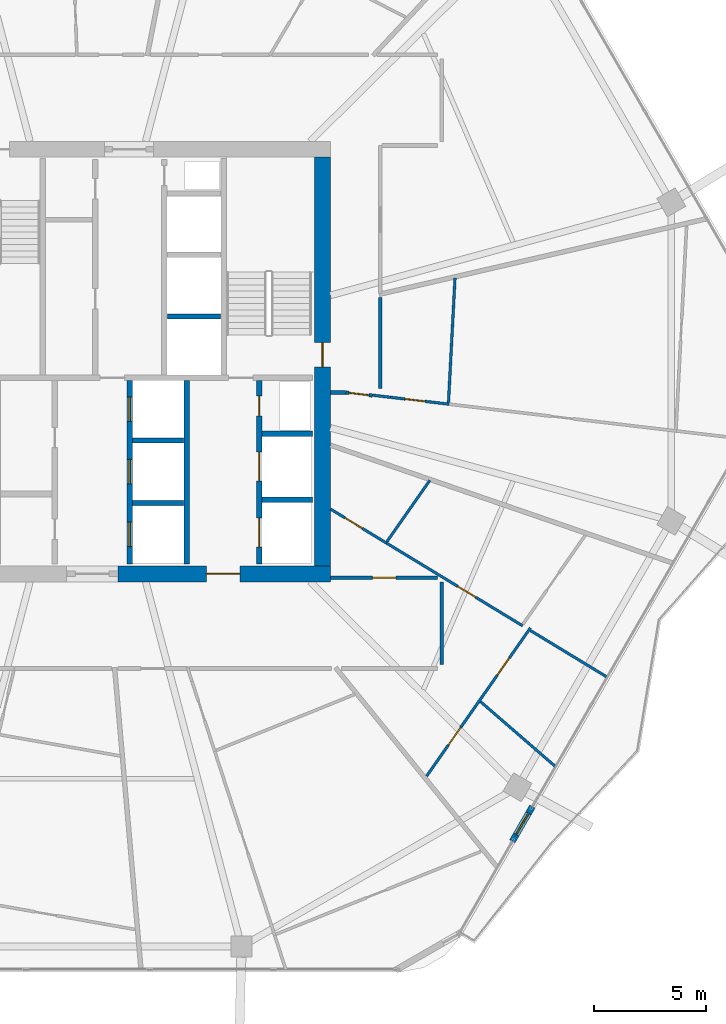
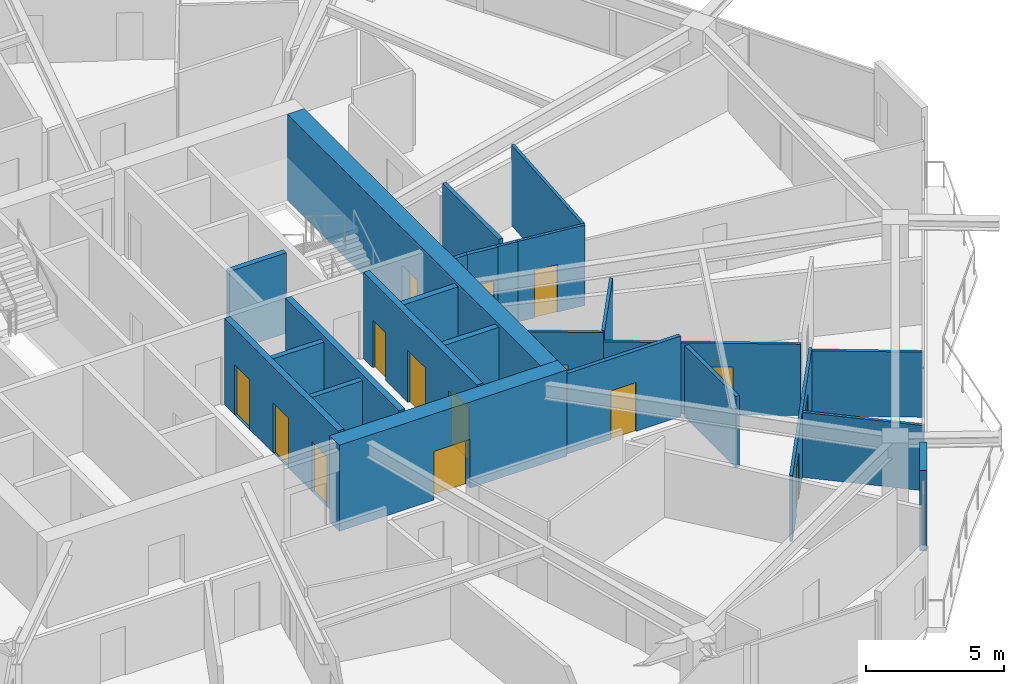
# One storey, part 19 of 26: 25 walls, 16 doors, 16 openings.
"""IFC4 building model written with IfcOpenShell, lengths in metres."""

from ifc_helpers import new_model, si_unit, direction, frame, frame_2d, origin, place, context, subcontext, project, spatial, rectangle, extrude, material, layer, layer_set, type_object, element, fill, save


model = new_model("IFC4")

# Units and contexts
model_context = context("Model", 3, precision=1e-05, world=origin(), true_north=direction((0.0, 1.0)))
body_context = subcontext(model_context, "Body", "Model", "MODEL_VIEW")
ifc_project = project(units=[si_unit("LENGTHUNIT", "METRE"), si_unit("AREAUNIT", "SQUARE_METRE"), si_unit("VOLUMEUNIT", "CUBIC_METRE"), si_unit("PLANEANGLEUNIT", "RADIAN"), si_unit("MASSUNIT", "GRAM", prefix="KILO")], contexts=[model_context])

# Site, building, storey
site_placement = place(None, origin())
site = spatial("IfcSite", under=ifc_project, at=site_placement, CompositionType="ELEMENT")
building_placement = place(site_placement, origin())
building = spatial("IfcBuilding", under=site, at=building_placement, Name="Zuhravey Tower", CompositionType="ELEMENT")
storey_placement = place(building_placement, frame((0.0, 0.0, 211.199951171875)))
storey = spatial("IfcBuildingStorey", under=building, at=storey_placement, Name="L53", CompositionType="ELEMENT", Elevation=211.199951171875)

# Wall, opening, door
ifc_material_1 = material(Name="Concrete C60/75", Category="concrete")
ifc_layer_1 = layer(ifc_material_1, 0.699951171875)
ifc_layer_set_1 = layer_set([ifc_layer_1], Name="Concrete C60/75")
wall_type_1 = type_object("IfcWallType", Name="Core Shear Wall 700", PredefinedType="SHEAR", material=ifc_layer_set_1)
wall_1_placement = place(storey_placement, frame((37.35009765625, 22.5, 0.0), z_axis=(0.0, 0.0, 1.0), x_axis=(1.0, 0.0, 0.0)))
wall_1 = element("IfcWall", 1, at=wall_1_placement, inside=storey, type_object=wall_type_1, Name="L53 South-East Core Shear Wall CW70", PredefinedType="SHEAR", context=body_context, shape_type="SweptSolid", body=[
    extrude(rectangle(XDim=9.5, YDim=0.699951171875, at=frame_2d((4.75, 0.0))), origin(), (0.0, 0.0, 1.0), 3.800048828125),
])
opening_1_placement = place(wall_1_placement, frame((3.949951171875, 0.0, 0.0)))
opening_1 = element("IfcOpeningElement", 2, at=opening_1_placement, cuts=wall_1, Name="Opening FFD1", PredefinedType="OPENING", context=body_context, shape_type="SweptSolid", body=[
    extrude(rectangle(XDim=1.5, YDim=2.14990234375, at=frame_2d((0.75, 1.074951171875))), frame((0.0, 0.362060546875, 0.0), z_axis=(0.0, -1.0, 0.0), x_axis=(1.0, 0.0, 0.0)), (0.0, 0.0, 1.0), 0.723876953125),
])
ifc_material_2 = material(Name="Galvanised fire-rated steel leaf", Category="steel")
door_type_1 = type_object("IfcDoorType", Name="Firefighting Lobby Double Door 1500x2150", OperationType="DOUBLE_DOOR_SINGLE_SWING", PredefinedType="DOOR", material=ifc_material_2)
door_1_placement = place(opening_1_placement, origin())
door_1 = element("IfcDoor", 3, at=door_1_placement, inside=storey, type_object=door_type_1, Name="L53 Firefighting Lobby East Door", OperationType="DOUBLE_DOOR_SINGLE_SWING", OverallHeight=2.14990234375, OverallWidth=1.5, PredefinedType="DOOR", context=body_context, shape_type="SweptSolid", body=[
    extrude(rectangle(XDim=1.5, YDim=2.14990234375, at=frame_2d((0.75, 1.074951171875))), frame((0.0, 0.02490234375, 0.0), z_axis=(0.0, -1.0, 0.0), x_axis=(1.0, 0.0, 0.0)), (0.0, 0.0, 1.0), 0.050048828125),
])
fill(opening_1, door_1)

wall_2_placement = place(storey_placement, frame((46.5, 22.85009765625, 0.0), z_axis=(0.0, 0.0, 1.0), x_axis=(0.0, 1.0, 0.0)))
wall_2 = element("IfcWall", 4, at=wall_2_placement, inside=storey, type_object=wall_type_1, Name="L53 East Core Shear Wall CW70", PredefinedType="SHEAR", context=body_context, shape_type="SweptSolid", body=[
    extrude(rectangle(XDim=18.2998046875, YDim=0.699951171875, at=frame_2d((9.14990234375, 0.0))), origin(), (0.0, 0.0, 1.0), 3.800048828125),
])
opening_2_placement = place(wall_2_placement, frame((8.89990234375, 0.0, 0.0)))
opening_2 = element("IfcOpeningElement", 5, at=opening_2_placement, cuts=wall_2, Name="Opening STD1", PredefinedType="OPENING", context=body_context, shape_type="SweptSolid", body=[
    extrude(rectangle(XDim=1.10009765625, YDim=2.14990234375, at=frame_2d((0.550048828125, 1.074951171875))), frame((0.0, 0.362060546875, 0.0), z_axis=(0.0, -1.0, 0.0), x_axis=(1.0, 0.0, 0.0)), (0.0, 0.0, 1.0), 0.723876953125),
])
door_type_2 = type_object("IfcDoorType", Name="Protected Stair Fire Door 1100x2150", OperationType="NOTDEFINED", PredefinedType="USERDEFINED", material=ifc_material_2)
door_2_placement = place(opening_2_placement, origin())
door_2 = element("IfcDoor", 6, at=door_2_placement, inside=storey, type_object=door_type_2, Name="L53 Stair ST2 Door", ObjectType="EXITDOOR", OperationType="SINGLE_SWING_RIGHT", OverallHeight=2.14990234375, OverallWidth=1.10009765625, PredefinedType="USERDEFINED", context=body_context, shape_type="SweptSolid", body=[
    extrude(rectangle(XDim=1.10009765625, YDim=2.14990234375, at=frame_2d((0.550048828125, 1.074951171875))), frame((0.0, 0.02490234375, 0.0), z_axis=(0.0, -1.0, 0.0), x_axis=(1.0, 0.0, 0.0)), (0.0, 0.0, 1.0), 0.050048828125),
])
fill(opening_2, door_2)

ifc_material_3 = material(Name="Gypsum fire-rated stud partition")
ifc_layer_2 = layer(ifc_material_3, 0.159912109375)
ifc_layer_set_2 = layer_set([ifc_layer_2], Name="Gypsum fire-rated stud partition")
wall_type_2 = type_object("IfcWallType", Name="Corridor Fire Partition 160", PredefinedType="PARTITIONING", material=ifc_layer_set_2)
wall_3_placement = place(storey_placement, frame((51.64990234375, 22.330078125, 0.0), z_axis=(0.0, 0.0, 1.0), x_axis=(-1.0, 0.0, 0.0)))
wall_3 = element("IfcWall", 7, at=wall_3_placement, inside=storey, type_object=wall_type_2, Name="L53 IW16 Partition 064", PredefinedType="PARTITIONING", context=body_context, shape_type="SweptSolid", body=[
    extrude(rectangle(XDim=4.77978515625, YDim=0.159912109375, at=frame_2d((2.389892578125, 0.0))), origin(), (0.0, 0.0, 1.0), 3.550048828125),
])
opening_3_placement = place(wall_3_placement, frame((1.864990234375, 0.0, 0.0)))
opening_3 = element("IfcOpeningElement", 8, at=opening_3_placement, cuts=wall_3, Name="Opening APD1", PredefinedType="OPENING", context=body_context, shape_type="SweptSolid", body=[
    extrude(rectangle(XDim=1.050048828125, YDim=2.14990234375, at=frame_2d((0.52490234375, 1.074951171875))), frame((0.0, 0.092041015625, 0.0), z_axis=(0.0, -1.0, 0.0), x_axis=(1.0, 0.0, 0.0)), (0.0, 0.0, 1.0), 0.183837890625),
])
ifc_material_4 = material(Name="Solid-core oak fire-rated leaf")
door_type_3 = type_object("IfcDoorType", Name="Apartment Entrance Fire Door 1050x2150", OperationType="NOTDEFINED", PredefinedType="DOOR", material=ifc_material_4)
door_3_placement = place(opening_3_placement, origin())
door_3 = element("IfcDoor", 9, at=door_3_placement, inside=storey, type_object=door_type_3, Name="L53 Door 064.1", OperationType="SINGLE_SWING_LEFT", OverallHeight=2.14990234375, OverallWidth=1.050048828125, PredefinedType="DOOR", context=body_context, shape_type="SweptSolid", body=[
    extrude(rectangle(XDim=1.050048828125, YDim=2.14990234375, at=frame_2d((0.52490234375, 1.074951171875))), frame((0.0, 0.02490234375, 0.0), z_axis=(0.0, -1.0, 0.0), x_axis=(1.0, 0.0, 0.0)), (0.0, 0.0, 1.0), 0.050048828125),
])
fill(opening_3, door_3)

wall_4_placement = place(storey_placement, frame((47.541259765625, 30.6201171875, 0.0), z_axis=(0.0, 0.0, 1.0), x_axis=(0.993117135496, -0.117125382325, 0.0)))
wall_4 = element("IfcWall", 10, at=wall_4_placement, inside=storey, type_object=wall_type_2, Name="L53 IW16 Partition 068", PredefinedType="PARTITIONING", context=body_context, shape_type="SweptSolid", body=[
    extrude(rectangle(XDim=1.196533203125, YDim=0.159912109375, at=frame_2d((0.59814453125, 0.0))), origin(), (0.0, 0.0, 1.0), 3.550048828125),
])
opening_4_placement = place(wall_4_placement, frame((0.148193359375, 0.0, 0.0)))
opening_4 = element("IfcOpeningElement", 11, at=opening_4_placement, cuts=wall_4, Name="Opening RSD1", PredefinedType="OPENING", context=body_context, shape_type="SweptSolid", body=[
    extrude(rectangle(XDim=0.89990234375, YDim=2.10009765625, at=frame_2d((0.449951171875, 1.050048828125))), frame((0.0, 0.092041015625, 0.0), z_axis=(0.0, -1.0, 0.0), x_axis=(1.0, 0.0, 0.0)), (0.0, 0.0, 1.0), 0.183837890625),
])
ifc_material_5 = material(Name="Galvanised fire-rated steel access leaf", Category="steel")
door_type_4 = type_object("IfcDoorType", Name="Riser & Shaft Access Fire Door 900x2100", OperationType="NOTDEFINED", PredefinedType="DOOR", material=ifc_material_5)
door_4_placement = place(opening_4_placement, frame((0.89990234375, 0.0, 0.0), z_axis=(0.0, 0.0, 1.0), x_axis=(-1.0, 0.0, 0.0)))
door_4 = element("IfcDoor", 12, at=door_4_placement, inside=storey, type_object=door_type_4, Name="L53 Door 068.1", OperationType="SINGLE_SWING_LEFT", OverallHeight=2.10009765625, OverallWidth=0.89990234375, PredefinedType="DOOR", context=body_context, shape_type="SweptSolid", body=[
    extrude(rectangle(XDim=0.89990234375, YDim=2.10009765625, at=frame_2d((0.449951171875, 1.050048828125))), frame((0.0, 0.02490234375, 0.0), z_axis=(0.0, -1.0, 0.0), x_axis=(1.0, 0.0, 0.0)), (0.0, 0.0, 1.0), 0.050048828125),
])
fill(opening_4, door_4)

# Walls
wall_5_placement = place(storey_placement, frame((51.830078125, 18.449951171875, 0.0), z_axis=(0.0, 0.0, 1.0), x_axis=(0.0, 1.0, 0.0)))
element("IfcWall", 13, at=wall_5_placement, inside=storey, type_object=wall_type_2, Name="L53 IW16 Partition 137", PredefinedType="PARTITIONING", context=body_context, shape_type="SweptSolid", body=[
    extrude(rectangle(XDim=3.699951171875, YDim=0.159912109375, at=frame_2d((1.85009765625, 0.0))), origin(), (0.0, 0.0, 1.0), 3.150146484375),
])
wall_6_placement = place(storey_placement, frame((46.8701171875, 30.6201171875, 0.0), z_axis=(0.0, 0.0, 1.0), x_axis=(1.0, 0.0, 0.0)))
element("IfcWall", 14, at=wall_6_placement, inside=storey, type_object=wall_type_2, Name="L53 IW16 Partition 138", PredefinedType="PARTITIONING", context=body_context, shape_type="SweptSolid", body=[
    extrude(rectangle(XDim=0.671142578125, YDim=0.159912109375, at=frame_2d((0.33544921875, 0.0))), origin(), (0.0, 0.0, 1.0), 3.550048828125),
])
wall_7_placement = place(storey_placement, frame((49.080078125, 30.800048828125, 0.0), z_axis=(0.0, 0.0, 1.0), x_axis=(0.0, 1.0, 0.0)))
element("IfcWall", 15, at=wall_7_placement, inside=storey, type_object=wall_type_2, Name="L53 IW16 Partition 139", PredefinedType="PARTITIONING", context=body_context, shape_type="SweptSolid", body=[
    extrude(rectangle(XDim=4.079345703125, YDim=0.159912109375, at=frame_2d((2.03955078125, 0.0))), origin(), (0.0, 0.0, 1.0), 3.550048828125),
])

# Wall, opening, door
ifc_material_6 = material(Name="Precast concrete C40/50", Category="concrete")
ifc_layer_3 = layer(ifc_material_6, 0.280029296875)
ifc_layer_set_3 = layer_set([ifc_layer_3], Name="Precast concrete C40/50")
wall_type_3 = type_object("IfcWallType", Name="Crown Architectural Wall 280", PredefinedType="SOLIDWALL", material=ifc_layer_set_3)
wall_8_placement = place(storey_placement, frame((55.891357421875, 12.0869140625, 0.0), z_axis=(0.0, 0.0, 1.0), x_axis=(-0.499982180423, -0.866035691677, 0.0)))
wall_8 = element("IfcWall", 16, at=wall_8_placement, inside=storey, type_object=wall_type_3, Name="L53 Face 6 Facade Pier EW28-1", PredefinedType="SOLIDWALL", context=body_context, shape_type="SweptSolid", body=[
    extrude(rectangle(XDim=1.7900390625, YDim=0.280029296875, at=frame_2d((0.89501953125, 0.0))), origin(), (0.0, 0.0, 1.0), 3.550048828125),
])
opening_5_placement = place(wall_8_placement, frame((0.344970703125, 0.0, 0.0)))
opening_5 = element("IfcOpeningElement", 17, at=opening_5_placement, cuts=wall_8, Name="Opening BLD1", PredefinedType="OPENING", context=body_context, shape_type="SweptSolid", body=[
    extrude(rectangle(XDim=1.10009765625, YDim=2.199951171875, at=frame_2d((0.550048828125, 1.10009765625))), frame((0.0, 0.152099609375, 0.0), z_axis=(0.0, -1.0, 0.0), x_axis=(1.0, 0.0, 0.0)), (0.0, 0.0, 1.0), 0.303955078125),
])
ifc_material_7 = material(Name="Thermally broken aluminium and low-E glass", Category="aluminium")
door_type_5 = type_object("IfcDoorType", Name="Balcony & Sky-Tray Glazed Door 1100x2200", OperationType="NOTDEFINED", PredefinedType="DOOR", material=ifc_material_7)
door_5_placement = place(opening_5_placement, frame((1.10009765625, 0.0, 0.0), z_axis=(0.0, 0.0, 1.0), x_axis=(-1.0, 0.0, 0.0)))
door_5 = element("IfcDoor", 18, at=door_5_placement, inside=storey, type_object=door_type_5, Name="L53 Face 6 Wave Balcony Door", OperationType="SINGLE_SWING_LEFT", OverallHeight=2.199951171875, OverallWidth=1.10009765625, PredefinedType="DOOR", context=body_context, shape_type="SweptSolid", body=[
    extrude(rectangle(XDim=1.10009765625, YDim=2.199951171875, at=frame_2d((0.550048828125, 1.10009765625))), frame((0.0, 0.02490234375, 0.0), z_axis=(0.0, -1.0, 0.0), x_axis=(1.0, 0.0, 0.0)), (0.0, 0.0, 1.0), 0.050048828125),
])
fill(opening_5, door_5)

# Wall, openings, doors
ifc_material_8 = material(Name="Concrete C50/60", Category="concrete")
ifc_layer_4 = layer(ifc_material_8, 0.25)
ifc_layer_set_4 = layer_set([ifc_layer_4], Name="Concrete C50/60")
wall_type_4 = type_object("IfcWallType", Name="Firefighting Shaft & Stair Wall 250", PredefinedType="SOLIDWALL", material=ifc_layer_set_4)
wall_9_placement = place(storey_placement, frame((37.875, 22.949951171875, 0.0), z_axis=(0.0, 0.0, 1.0), x_axis=(0.0, 1.0, 0.0)))
wall_9 = element("IfcWall", 19, at=wall_9_placement, inside=storey, type_object=wall_type_4, Name="L53 FW25 Shaft Wall 015", PredefinedType="SOLIDWALL", context=body_context, shape_type="SweptSolid", body=[
    extrude(rectangle(XDim=8.199951171875, YDim=0.25, at=frame_2d((4.10009765625, 0.0))), origin(), (0.0, 0.0, 1.0), 3.800048828125),
])
opening_6_placement = place(wall_9_placement, frame((0.77490234375, 0.0, 0.0)))
opening_6 = element("IfcOpeningElement", 20, at=opening_6_placement, cuts=wall_9, Name="Opening LD1", PredefinedType="OPENING", context=body_context, shape_type="SweptSolid", body=[
    extrude(rectangle(XDim=1.10009765625, YDim=2.199951171875, at=frame_2d((0.550048828125, 1.10009765625))), frame((0.0, 0.136962890625, 0.0), z_axis=(0.0, -1.0, 0.0), x_axis=(1.0, 0.0, 0.0)), (0.0, 0.0, 1.0), 0.27392578125),
])
opening_7_placement = place(wall_9_placement, frame((3.574951171875, 0.0, 0.0)))
opening_7 = element("IfcOpeningElement", 21, at=opening_7_placement, cuts=wall_9, Name="Opening LD1", PredefinedType="OPENING", context=body_context, shape_type="SweptSolid", body=[
    extrude(rectangle(XDim=1.10009765625, YDim=2.199951171875, at=frame_2d((0.550048828125, 1.10009765625))), frame((0.0, 0.136962890625, 0.0), z_axis=(0.0, -1.0, 0.0), x_axis=(1.0, 0.0, 0.0)), (0.0, 0.0, 1.0), 0.27392578125),
])
opening_8_placement = place(wall_9_placement, frame((6.375, 0.0, 0.0)))
opening_8 = element("IfcOpeningElement", 22, at=opening_8_placement, cuts=wall_9, Name="Opening LD1", PredefinedType="OPENING", context=body_context, shape_type="SweptSolid", body=[
    extrude(rectangle(XDim=1.10009765625, YDim=2.199951171875, at=frame_2d((0.550048828125, 1.10009765625))), frame((0.0, 0.136962890625, 0.0), z_axis=(0.0, -1.0, 0.0), x_axis=(1.0, 0.0, 0.0)), (0.0, 0.0, 1.0), 0.27392578125),
])
ifc_material_9 = material(Name="Brushed stainless steel", Category="steel")
door_type_6 = type_object("IfcDoorType", Name="Lift Landing Sliding Door 1100x2200", OperationType="DOUBLE_DOOR_SLIDING", PredefinedType="DOOR", material=ifc_material_9)
door_6_placement = place(opening_6_placement, origin())
door_6 = element("IfcDoor", 23, at=door_6_placement, inside=storey, type_object=door_type_6, Name="L53 Lift PL4 Landing Door", OperationType="DOUBLE_DOOR_SLIDING", OverallHeight=2.199951171875, OverallWidth=1.10009765625, PredefinedType="DOOR", context=body_context, shape_type="SweptSolid", body=[
    extrude(rectangle(XDim=1.10009765625, YDim=2.199951171875, at=frame_2d((0.550048828125, 1.10009765625))), frame((0.0, 0.02490234375, 0.0), z_axis=(0.0, -1.0, 0.0), x_axis=(1.0, 0.0, 0.0)), (0.0, 0.0, 1.0), 0.050048828125),
])
fill(opening_6, door_6)
door_7_placement = place(opening_7_placement, origin())
door_7 = element("IfcDoor", 24, at=door_7_placement, inside=storey, type_object=door_type_6, Name="L53 Lift PL5 Landing Door", OperationType="DOUBLE_DOOR_SLIDING", OverallHeight=2.199951171875, OverallWidth=1.10009765625, PredefinedType="DOOR", context=body_context, shape_type="SweptSolid", body=[
    extrude(rectangle(XDim=1.10009765625, YDim=2.199951171875, at=frame_2d((0.550048828125, 1.10009765625))), frame((0.0, 0.02490234375, 0.0), z_axis=(0.0, -1.0, 0.0), x_axis=(1.0, 0.0, 0.0)), (0.0, 0.0, 1.0), 0.050048828125),
])
fill(opening_7, door_7)
door_8_placement = place(opening_8_placement, origin())
door_8 = element("IfcDoor", 25, at=door_8_placement, inside=storey, type_object=door_type_6, Name="L53 Lift PL6 Landing Door", OperationType="DOUBLE_DOOR_SLIDING", OverallHeight=2.199951171875, OverallWidth=1.10009765625, PredefinedType="DOOR", context=body_context, shape_type="SweptSolid", body=[
    extrude(rectangle(XDim=1.10009765625, YDim=2.199951171875, at=frame_2d((0.550048828125, 1.10009765625))), frame((0.0, 0.02490234375, 0.0), z_axis=(0.0, -1.0, 0.0), x_axis=(1.0, 0.0, 0.0)), (0.0, 0.0, 1.0), 0.050048828125),
])
fill(opening_8, door_8)

# Walls
wall_10_placement = place(storey_placement, frame((40.425048828125, 22.949951171875, 0.0), z_axis=(0.0, 0.0, 1.0), x_axis=(0.0, 1.0, 0.0)))
element("IfcWall", 26, at=wall_10_placement, inside=storey, type_object=wall_type_4, Name="L53 FW25 Shaft Wall 016", PredefinedType="SOLIDWALL", context=body_context, shape_type="SweptSolid", body=[
    extrude(rectangle(XDim=8.199951171875, YDim=0.25, at=frame_2d((4.10009765625, 0.0))), origin(), (0.0, 0.0, 1.0), 3.800048828125),
])
for number, where, z_axis, x_axis, name in (
    (27, (43.800048828125, 25.824951171875, 0.0), (0.0, 0.0, 1.0), (1.0, 0.0, 0.0), "L53 FW25 Shaft Wall 017"),
    (28, (43.800048828125, 28.77490234375, 0.0), (0.0, 0.0, 1.0), (1.0, 0.0, 0.0), "L53 FW25 Shaft Wall 018"),
):
    element("IfcWall", number, at=place(storey_placement, frame(where, z_axis=z_axis, x_axis=x_axis)), inside=storey, type_object=wall_type_4, Name=name, PredefinedType="SOLIDWALL", context=body_context, shape_type="SweptSolid", body=[
        extrude(rectangle(XDim=2.25, YDim=0.25, at=frame_2d((1.125, 0.0))), origin(), (0.0, 0.0, 1.0), 3.800048828125),
    ])

# Wall, openings, doors
wall_11_placement = place(storey_placement, frame((43.675048828125, 22.949951171875, 0.0), z_axis=(0.0, 0.0, 1.0), x_axis=(0.0, 1.0, 0.0)))
wall_11 = element("IfcWall", 29, at=wall_11_placement, inside=storey, type_object=wall_type_4, Name="L53 FW25 Shaft Wall 019", PredefinedType="SOLIDWALL", context=body_context, shape_type="SweptSolid", body=[
    extrude(rectangle(XDim=8.199951171875, YDim=0.25, at=frame_2d((4.10009765625, 0.0))), origin(), (0.0, 0.0, 1.0), 3.800048828125),
])
opening_9_placement = place(wall_11_placement, frame((0.75, 0.0, 0.0)))
opening_9 = element("IfcOpeningElement", 30, at=opening_9_placement, cuts=wall_11, Name="Opening LD2", PredefinedType="OPENING", context=body_context, shape_type="SweptSolid", body=[
    extrude(rectangle(XDim=1.300048828125, YDim=2.300048828125, at=frame_2d((0.64990234375, 1.14990234375))), frame((0.0, 0.136962890625, 0.0), z_axis=(0.0, -1.0, 0.0), x_axis=(1.0, 0.0, 0.0)), (0.0, 0.0, 1.0), 0.27392578125),
])
opening_10_placement = place(wall_11_placement, frame((3.699951171875, 0.0, 0.0)))
opening_10 = element("IfcOpeningElement", 31, at=opening_10_placement, cuts=wall_11, Name="Opening LD2", PredefinedType="OPENING", context=body_context, shape_type="SweptSolid", body=[
    extrude(rectangle(XDim=1.300048828125, YDim=2.300048828125, at=frame_2d((0.64990234375, 1.14990234375))), frame((0.0, 0.136962890625, 0.0), z_axis=(0.0, -1.0, 0.0), x_axis=(1.0, 0.0, 0.0)), (0.0, 0.0, 1.0), 0.27392578125),
])
opening_11_placement = place(wall_11_placement, frame((6.6201171875, 0.0, 0.0)))
opening_11 = element("IfcOpeningElement", 32, at=opening_11_placement, cuts=wall_11, Name="Opening RSD1", PredefinedType="OPENING", context=body_context, shape_type="SweptSolid", body=[
    extrude(rectangle(XDim=0.89990234375, YDim=2.10009765625, at=frame_2d((0.449951171875, 1.050048828125))), frame((0.0, 0.136962890625, 0.0), z_axis=(0.0, -1.0, 0.0), x_axis=(1.0, 0.0, 0.0)), (0.0, 0.0, 1.0), 0.27392578125),
])
door_type_7 = type_object("IfcDoorType", Name="Freight & Stretcher Lift Sliding Door 1300x2300", OperationType="DOUBLE_DOOR_SLIDING", PredefinedType="DOOR", material=ifc_material_9)
door_9_placement = place(opening_9_placement, origin())
door_9 = element("IfcDoor", 33, at=door_9_placement, inside=storey, type_object=door_type_7, Name="L53 Lift FF2 Landing Door", OperationType="DOUBLE_DOOR_SLIDING", OverallHeight=2.300048828125, OverallWidth=1.300048828125, PredefinedType="DOOR", context=body_context, shape_type="SweptSolid", body=[
    extrude(rectangle(XDim=1.300048828125, YDim=2.300048828125, at=frame_2d((0.64990234375, 1.14990234375))), frame((0.0, 0.02490234375, 0.0), z_axis=(0.0, -1.0, 0.0), x_axis=(1.0, 0.0, 0.0)), (0.0, 0.0, 1.0), 0.050048828125),
])
fill(opening_9, door_9)
door_10_placement = place(opening_10_placement, origin())
door_10 = element("IfcDoor", 34, at=door_10_placement, inside=storey, type_object=door_type_7, Name="L53 Lift SV1 Landing Door", OperationType="DOUBLE_DOOR_SLIDING", OverallHeight=2.300048828125, OverallWidth=1.300048828125, PredefinedType="DOOR", context=body_context, shape_type="SweptSolid", body=[
    extrude(rectangle(XDim=1.300048828125, YDim=2.300048828125, at=frame_2d((0.64990234375, 1.14990234375))), frame((0.0, 0.02490234375, 0.0), z_axis=(0.0, -1.0, 0.0), x_axis=(1.0, 0.0, 0.0)), (0.0, 0.0, 1.0), 0.050048828125),
])
fill(opening_10, door_10)
door_11_placement = place(opening_11_placement, origin())
door_11 = element("IfcDoor", 35, at=door_11_placement, inside=storey, type_object=door_type_4, Name="L53 Plumbing Riser Door", OperationType="SINGLE_SWING_RIGHT", OverallHeight=2.10009765625, OverallWidth=0.89990234375, PredefinedType="DOOR", context=body_context, shape_type="SweptSolid", body=[
    extrude(rectangle(XDim=0.89990234375, YDim=2.10009765625, at=frame_2d((0.449951171875, 1.050048828125))), frame((0.0, 0.02490234375, 0.0), z_axis=(0.0, -1.0, 0.0), x_axis=(1.0, 0.0, 0.0)), (0.0, 0.0, 1.0), 0.050048828125),
])
fill(opening_11, door_11)

# Walls
ifc_material_10 = material(Name="Gypsum acoustic stud assembly")
ifc_layer_5 = layer(ifc_material_10, 0.219970703125)
ifc_layer_set_5 = layer_set([ifc_layer_5], Name="Gypsum acoustic stud assembly")
wall_type_5 = type_object("IfcWallType", Name="School Acoustic Compartment Wall 220", PredefinedType="PARTITIONING", material=ifc_layer_set_5)
wall_12_placement = place(storey_placement, frame((39.55810546875, 34.02490234375, 0.0), z_axis=(0.0, 0.0, 1.0), x_axis=(1.0, 0.0, 0.0)))
element("IfcWall", 36, at=wall_12_placement, inside=storey, type_object=wall_type_5, Name="L53 IW22 Partition 071", PredefinedType="PARTITIONING", context=body_context, shape_type="SweptSolid", body=[
    extrude(rectangle(XDim=2.3837890625, YDim=0.219970703125, at=frame_2d((1.19189453125, 0.0))), origin(), (0.0, 0.0, 1.0), 3.550048828125),
])
for number, where, z_axis, x_axis, name in (
    (37, (38.008056640625, 25.675048828125, 0.0), (0.0, 0.0, 1.0), (1.0, 0.0, 0.0), "L53 IW22 Partition 074"),
    (38, (38.008056640625, 28.47509765625, 0.0), (0.0, 0.0, 1.0), (1.0, 0.0, 0.0), "L53 IW22 Partition 075"),
):
    element("IfcWall", number, at=place(storey_placement, frame(where, z_axis=z_axis, x_axis=x_axis)), inside=storey, type_object=wall_type_5, Name=name, PredefinedType="PARTITIONING", context=body_context, shape_type="SweptSolid", body=[
        extrude(rectangle(XDim=2.283935546875, YDim=0.219970703125, at=frame_2d((1.14208984375, 0.0))), origin(), (0.0, 0.0, 1.0), 3.550048828125),
    ])

# Wall, openings, doors
ifc_material_11 = material(Name="Gypsum metal-stud partition")
ifc_layer_6 = layer(ifc_material_11, 0.1201171875)
ifc_layer_set_6 = layer_set([ifc_layer_6], Name="Gypsum metal-stud partition")
wall_type_6 = type_object("IfcWallType", Name="Unit Internal Partition 120", PredefinedType="PARTITIONING", material=ifc_layer_set_6)
wall_13_placement = place(storey_placement, frame((51.15966796875, 13.45263671875, 0.0), z_axis=(0.0, 0.0, 1.0), x_axis=(0.573591844673, 0.81914125505, 0.0)))
wall_13 = element("IfcWall", 39, at=wall_13_placement, inside=storey, type_object=wall_type_6, Name="L53 IW12 Partition 060", PredefinedType="PARTITIONING", context=body_context, shape_type="SweptSolid", body=[
    extrude(rectangle(XDim=8.09716796875, YDim=0.1201171875, at=frame_2d((4.048583984375, 0.0))), origin(), (0.0, 0.0, 1.0), 2.900146484375),
])
opening_12_placement = place(wall_13_placement, frame((1.70458984375, 0.0, 0.0)))
opening_12 = element("IfcOpeningElement", 40, at=opening_12_placement, cuts=wall_13, Name="Opening IND1", PredefinedType="OPENING", context=body_context, shape_type="SweptSolid", body=[
    extrude(rectangle(XDim=0.949951171875, YDim=2.10009765625, at=frame_2d((0.47509765625, 1.050048828125))), frame((0.0, 0.072021484375, 0.0), z_axis=(0.0, -1.0, 0.0), x_axis=(1.0, 0.0, 0.0)), (0.0, 0.0, 1.0), 0.14404296875),
])
opening_13_placement = place(wall_13_placement, frame((5.5126953125, 0.0, 0.0)))
opening_13 = element("IfcOpeningElement", 41, at=opening_13_placement, cuts=wall_13, Name="Opening IND1", PredefinedType="OPENING", context=body_context, shape_type="SweptSolid", body=[
    extrude(rectangle(XDim=0.949951171875, YDim=2.10009765625, at=frame_2d((0.47509765625, 1.050048828125))), frame((0.0, 0.072021484375, 0.0), z_axis=(0.0, -1.0, 0.0), x_axis=(1.0, 0.0, 0.0)), (0.0, 0.0, 1.0), 0.14404296875),
])
ifc_material_12 = material(Name="Painted engineered timber leaf", Category="wood")
door_type_8 = type_object("IfcDoorType", Name="Internal Room & Bedroom Door 950x2100", OperationType="NOTDEFINED", PredefinedType="DOOR", material=ifc_material_12)
door_12_placement = place(opening_12_placement, frame((0.949951171875, 0.0, 0.0), z_axis=(0.0, 0.0, 1.0), x_axis=(-1.0, 0.0, 0.0)))
door_12 = element("IfcDoor", 42, at=door_12_placement, inside=storey, type_object=door_type_8, Name="Apartment L53-09 Family Study Door", OperationType="SINGLE_SWING_RIGHT", OverallHeight=2.10009765625, OverallWidth=0.949951171875, PredefinedType="DOOR", context=body_context, shape_type="SweptSolid", body=[
    extrude(rectangle(XDim=0.949951171875, YDim=2.10009765625, at=frame_2d((0.47509765625, 1.050048828125))), frame((0.0, 0.02490234375, 0.0), z_axis=(0.0, -1.0, 0.0), x_axis=(1.0, 0.0, 0.0)), (0.0, 0.0, 1.0), 0.050048828125),
])
fill(opening_12, door_12)
door_13_placement = place(opening_13_placement, frame((0.949951171875, 0.0, 0.0), z_axis=(0.0, 0.0, 1.0), x_axis=(-1.0, 0.0, 0.0)))
door_13 = element("IfcDoor", 43, at=door_13_placement, inside=storey, type_object=door_type_8, Name="Apartment L53-09 Dining Room Door", OperationType="SINGLE_SWING_LEFT", OverallHeight=2.10009765625, OverallWidth=0.949951171875, PredefinedType="DOOR", context=body_context, shape_type="SweptSolid", body=[
    extrude(rectangle(XDim=0.949951171875, YDim=2.10009765625, at=frame_2d((0.47509765625, 1.050048828125))), frame((0.0, 0.02490234375, 0.0), z_axis=(0.0, -1.0, 0.0), x_axis=(1.0, 0.0, 0.0)), (0.0, 0.0, 1.0), 0.050048828125),
])
fill(opening_13, door_13)

# Wall, opening, door
wall_14_placement = place(storey_placement, frame((46.85791015625, 25.403564453125, 0.0), z_axis=(0.0, 0.0, 1.0), x_axis=(0.85464129029, -0.519218898857, 0.0)))
wall_14 = element("IfcWall", 44, at=wall_14_placement, inside=storey, type_object=wall_type_6, Name="L53 IW12 Partition 061", PredefinedType="PARTITIONING", context=body_context, shape_type="SweptSolid", body=[
    extrude(rectangle(XDim=2.93701171875, YDim=0.1201171875, at=frame_2d((1.468505859375, 0.0))), origin(), (0.0, 0.0, 1.0), 3.550048828125),
])
opening_14_placement = place(wall_14_placement, frame((0.760986328125, 0.0, 0.0)))
opening_14 = element("IfcOpeningElement", 45, at=opening_14_placement, cuts=wall_14, Name="Opening WCD1", PredefinedType="OPENING", context=body_context, shape_type="SweptSolid", body=[
    extrude(rectangle(XDim=0.89990234375, YDim=2.10009765625, at=frame_2d((0.449951171875, 1.050048828125))), frame((0.0, 0.072021484375, 0.0), z_axis=(0.0, -1.0, 0.0), x_axis=(1.0, 0.0, 0.0)), (0.0, 0.0, 1.0), 0.14404296875),
])
ifc_material_13 = material(Name="Moisture-resistant timber leaf", Category="wood")
door_type_9 = type_object("IfcDoorType", Name="Bathroom & WC Internal Door 900x2100", OperationType="NOTDEFINED", PredefinedType="DOOR", material=ifc_material_13)
door_14_placement = place(opening_14_placement, origin())
door_14 = element("IfcDoor", 46, at=door_14_placement, inside=storey, type_object=door_type_9, Name="Apartment L53-09 Bathroom Door", OperationType="SINGLE_SWING_RIGHT", OverallHeight=2.10009765625, OverallWidth=0.89990234375, PredefinedType="DOOR", context=body_context, shape_type="SweptSolid", body=[
    extrude(rectangle(XDim=0.89990234375, YDim=2.10009765625, at=frame_2d((0.449951171875, 1.050048828125))), frame((0.0, 0.02490234375, 0.0), z_axis=(0.0, -1.0, 0.0), x_axis=(1.0, 0.0, 0.0)), (0.0, 0.0, 1.0), 0.050048828125),
])
fill(opening_14, door_14)

wall_15_placement = place(storey_placement, frame((49.367919921875, 23.878662109375, 0.0), z_axis=(0.0, 0.0, 1.0), x_axis=(0.854630517303, -0.519236630925, 0.0)))
wall_15 = element("IfcWall", 47, at=wall_15_placement, inside=storey, type_object=wall_type_6, Name="L53 IW12 Partition 062", PredefinedType="PARTITIONING", context=body_context, shape_type="SweptSolid", body=[
    extrude(rectangle(XDim=7.1220703125, YDim=0.1201171875, at=frame_2d((3.56103515625, 0.0))), origin(), (0.0, 0.0, 1.0), 3.150146484375),
])
opening_15_placement = place(wall_15_placement, frame((3.720947265625, 0.0, 0.0)))
opening_15 = element("IfcOpeningElement", 48, at=opening_15_placement, cuts=wall_15, Name="Opening IND1", PredefinedType="OPENING", context=body_context, shape_type="SweptSolid", body=[
    extrude(rectangle(XDim=0.949951171875, YDim=2.10009765625, at=frame_2d((0.47509765625, 1.050048828125))), frame((0.0, 0.072021484375, 0.0), z_axis=(0.0, -1.0, 0.0), x_axis=(1.0, 0.0, 0.0)), (0.0, 0.0, 1.0), 0.14404296875),
])
door_15_placement = place(opening_15_placement, origin())
door_15 = element("IfcDoor", 49, at=door_15_placement, inside=storey, type_object=door_type_8, Name="Apartment L53-09 Home Office Door", OperationType="SINGLE_SWING_LEFT", OverallHeight=2.10009765625, OverallWidth=0.949951171875, PredefinedType="DOOR", context=body_context, shape_type="SweptSolid", body=[
    extrude(rectangle(XDim=0.949951171875, YDim=2.10009765625, at=frame_2d((0.47509765625, 1.050048828125))), frame((0.0, 0.02490234375, 0.0), z_axis=(0.0, -1.0, 0.0), x_axis=(1.0, 0.0, 0.0)), (0.0, 0.0, 1.0), 0.050048828125),
])
fill(opening_15, door_15)

wall_16_placement = place(storey_placement, frame((49.53662109375, 30.405029296875, 0.0), z_axis=(0.0, 0.0, 1.0), x_axis=(0.993127868893, -0.117034336965, 0.0)))
wall_16 = element("IfcWall", 50, at=wall_16_placement, inside=storey, type_object=wall_type_6, Name="L53 IW12 Partition 065", PredefinedType="PARTITIONING", context=body_context, shape_type="SweptSolid", body=[
    extrude(rectangle(XDim=2.640869140625, YDim=0.1201171875, at=frame_2d((1.3203125, 0.0))), origin(), (0.0, 0.0, 1.0), 3.550048828125),
])
opening_16_placement = place(wall_16_placement, frame((0.6591796875, 0.0, 0.0)))
opening_16 = element("IfcOpeningElement", 51, at=opening_16_placement, cuts=wall_16, Name="Opening WCD1", PredefinedType="OPENING", context=body_context, shape_type="SweptSolid", body=[
    extrude(rectangle(XDim=0.89990234375, YDim=2.10009765625, at=frame_2d((0.449951171875, 1.050048828125))), frame((0.0, 0.072021484375, 0.0), z_axis=(0.0, -1.0, 0.0), x_axis=(1.0, 0.0, 0.0)), (0.0, 0.0, 1.0), 0.14404296875),
])
door_16_placement = place(opening_16_placement, origin())
door_16 = element("IfcDoor", 52, at=door_16_placement, inside=storey, type_object=door_type_9, Name="Apartment L53-10 Bathroom Door", OperationType="SINGLE_SWING_RIGHT", OverallHeight=2.10009765625, OverallWidth=0.89990234375, PredefinedType="DOOR", context=body_context, shape_type="SweptSolid", body=[
    extrude(rectangle(XDim=0.89990234375, YDim=2.10009765625, at=frame_2d((0.449951171875, 1.050048828125))), frame((0.0, 0.02490234375, 0.0), z_axis=(0.0, -1.0, 0.0), x_axis=(1.0, 0.0, 0.0)), (0.0, 0.0, 1.0), 0.050048828125),
])
fill(opening_16, door_16)

# Walls
wall_17_placement = place(storey_placement, frame((53.57421875, 16.7822265625, 0.0), z_axis=(0.0, 0.0, 1.0), x_axis=(0.755950625929, -0.654628636066, 0.0)))
element("IfcWall", 53, at=wall_17_placement, inside=storey, type_object=wall_type_6, Name="L53 IW12 Partition 114", PredefinedType="PARTITIONING", context=body_context, shape_type="SweptSolid", body=[
    extrude(rectangle(XDim=4.46484375, YDim=0.1201171875, at=frame_2d((2.232421875, 0.0))), origin(), (0.0, 0.0, 1.0), 2.8701171875),
])
wall_18_placement = place(storey_placement, frame((55.8046875, 19.968017578125, 0.0), z_axis=(0.0, 0.0, 1.0), x_axis=(0.854635512636, -0.519228408835, 0.0)))
element("IfcWall", 54, at=wall_18_placement, inside=storey, type_object=wall_type_6, Name="L53 IW12 Partition 115", PredefinedType="PARTITIONING", context=body_context, shape_type="SweptSolid", body=[
    extrude(rectangle(XDim=4.021728515625, YDim=0.1201171875, at=frame_2d((2.0107421875, 0.0))), origin(), (0.0, 0.0, 1.0), 2.8701171875),
])
wall_19_placement = place(storey_placement, frame((49.385498046875, 23.947509765625, 0.0), z_axis=(0.0, 0.0, 1.0), x_axis=(0.573609327382, 0.819129012757, 0.0)))
element("IfcWall", 55, at=wall_19_placement, inside=storey, type_object=wall_type_6, Name="L53 IW12 Partition 116", PredefinedType="PARTITIONING", context=body_context, shape_type="SweptSolid", body=[
    extrude(rectangle(XDim=3.343994140625, YDim=0.1201171875, at=frame_2d((1.671875, 0.0))), origin(), (0.0, 0.0, 1.0), 3.550048828125),
])
wall_20_placement = place(storey_placement, frame((48.731689453125, 30.499755859375, 0.0), z_axis=(0.0, 0.0, 1.0), x_axis=(0.993146491389, -0.116876202202, 0.0)))
element("IfcWall", 56, at=wall_20_placement, inside=storey, type_object=wall_type_6, Name="L53 IW12 Partition 118", PredefinedType="PARTITIONING", context=body_context, shape_type="SweptSolid", body=[
    extrude(rectangle(XDim=0.810546875, YDim=0.1201171875, at=frame_2d((0.4052734375, 0.0))), origin(), (0.0, 0.0, 1.0), 3.550048828125),
])
wall_21_placement = place(storey_placement, frame((52.13818359375, 30.1669921875, 0.0), z_axis=(0.0, 0.0, 1.0), x_axis=(0.052317957022, 0.998630477891, 0.0)))
element("IfcWall", 57, at=wall_21_placement, inside=storey, type_object=wall_type_6, Name="L53 IW12 Partition 120", PredefinedType="PARTITIONING", context=body_context, shape_type="SweptSolid", body=[
    extrude(rectangle(XDim=5.585693359375, YDim=0.1201171875, at=frame_2d((2.79296875, 0.0))), origin(), (0.0, 0.0, 1.0), 3.550048828125),
])

save(model, "model.ifc")
